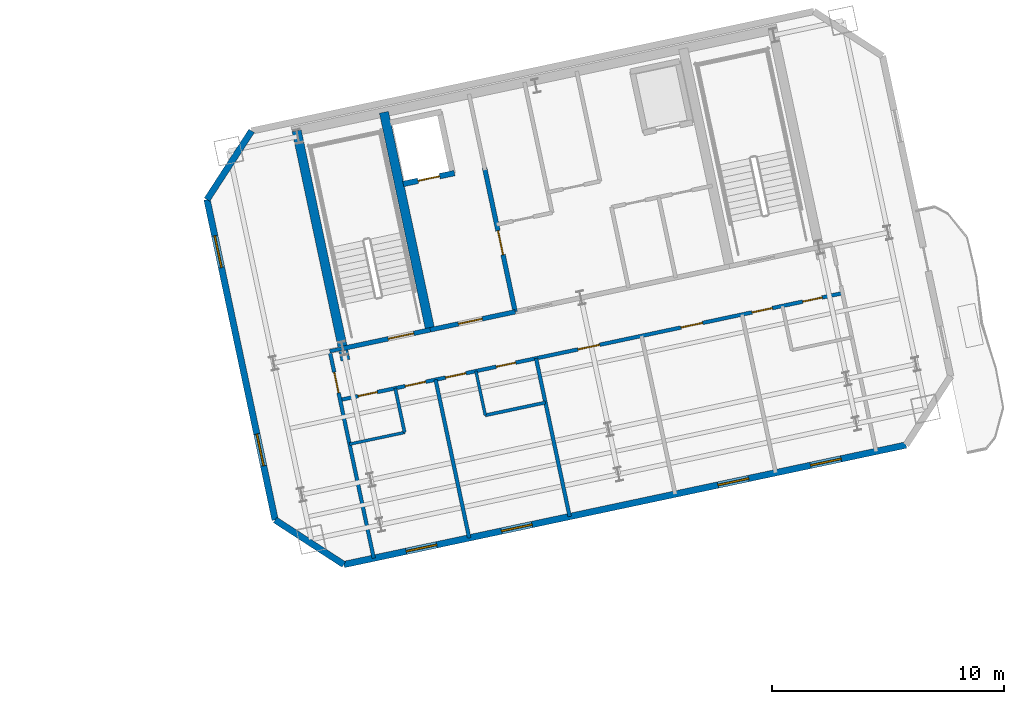
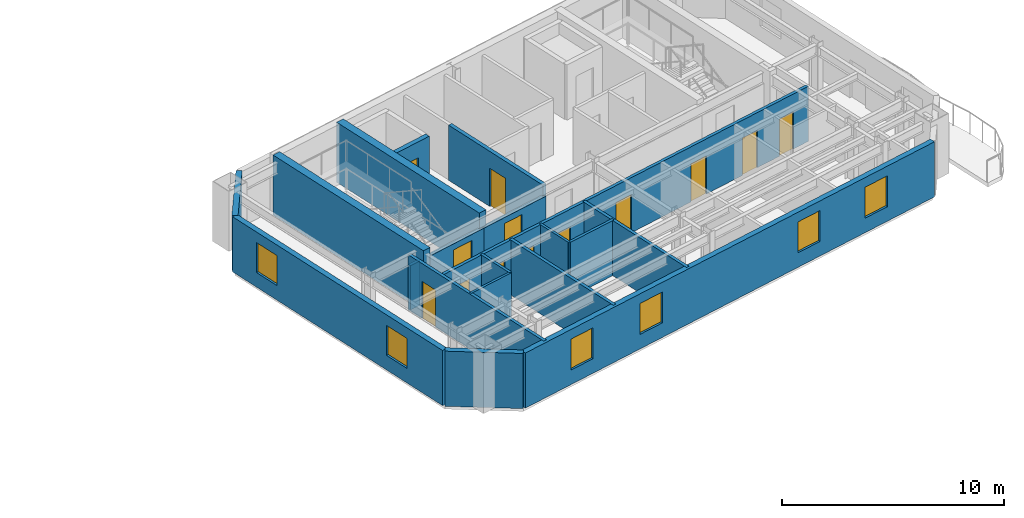
# One storey, part 7 of 14: 19 walls, 13 doors, 6 windows, 19 openings.
"""IFC4 building model written with IfcOpenShell, lengths in metres."""

import ifcopenshell
import ifcopenshell.guid

model = None  # the IFC model being written
_history = None  # IfcOwnerHistory: only IFC2X3 demands one
_inside = {}  # id of a spatial element -> (the spatial element, [elements in it])
_under = {}  # id of a project, library or spatial element -> (it, [spatial elements below it])
_declared = {}  # id of a project -> (the project, [libraries it declares])
_typed = {}  # id of a type object -> (the type object, [elements of that type])
_made_of = {}  # id of a material, layer set ... -> (it, [elements and type objects made of it])


def new_model(schema):
    """Start an empty IFC model of exactly this schema.

    Asked for "IFC4X3", IfcOpenShell would pick the latest addendum, in which some entities
    have other attributes; the version numbers below select the first issue.
    IFC2X3 requires an IfcOwnerHistory on every rooted entity: one is made here for all.
    """
    global model, _history
    if schema == "IFC4X3":
        model = ifcopenshell.file(schema_version=(4, 3, 0, 0))
    else:
        model = ifcopenshell.file(schema=schema)
    _inside.clear()
    _under.clear()
    _declared.clear()
    _typed.clear()
    _made_of.clear()
    _history = None
    if model.schema == "IFC2X3":
        org = make("IfcOrganization", Name="unknown")
        user = make(
            "IfcPersonAndOrganization",
            ThePerson=make("IfcPerson", FamilyName="unknown"),
            TheOrganization=org,
        )
        app = make(
            "IfcApplication",
            ApplicationDeveloper=org,
            Version="unknown",
            ApplicationFullName="unknown",
            ApplicationIdentifier="unknown",
        )
        _history = make(
            "IfcOwnerHistory",
            OwningUser=user,
            OwningApplication=app,
            ChangeAction="ADDED",
            CreationDate=0,
        )
    return model


def make(cls, **values):
    """One entity of the class cls with the attributes given. An attribute that is None is left unset."""
    return model.create_entity(
        cls, **{name: value for name, value in values.items() if value is not None}
    )


def rooted(cls, **values):
    """An entity with a GlobalId (a new one), such as an element, a storey or a relation."""
    return make(cls, GlobalId=ifcopenshell.guid.new(), OwnerHistory=_history, **values)


def si_unit(unit_type, name, prefix=None):
    """IfcSIUnit, for example si_unit("LENGTHUNIT", "METRE", prefix="MILLI")."""
    return make("IfcSIUnit", UnitType=unit_type, Prefix=prefix, Name=name)


def assignment(units):
    """IfcUnitAssignment: the units of a project."""
    return None if units is None else make("IfcUnitAssignment", Units=units)


def point(xyz):
    """IfcCartesianPoint."""
    return None if xyz is None else make("IfcCartesianPoint", Coordinates=xyz)


def direction(xyz):
    """IfcDirection."""
    return None if xyz is None else make("IfcDirection", DirectionRatios=xyz)


def frame(location, z_axis=None, x_axis=None):
    """IfcAxis2Placement3D, a coordinate frame: its origin and axes. An axis left out is left unset."""
    return make(
        "IfcAxis2Placement3D",
        Location=point(location),
        Axis=direction(z_axis),
        RefDirection=direction(x_axis),
    )


def frame_2d(location, x_axis=None):
    """IfcAxis2Placement2D, a coordinate frame in the plane: its origin and x axis."""
    return make(
        "IfcAxis2Placement2D", Location=point(location), RefDirection=direction(x_axis)
    )


def origin():
    """The frame at (0, 0, 0) with its axes left unset."""
    return frame((0.0, 0.0, 0.0))


def place(relative_to, where):
    """IfcLocalPlacement: puts the frame where relative to a parent placement (None: the world)."""
    return make(
        "IfcLocalPlacement", PlacementRelTo=relative_to, RelativePlacement=where
    )


def context(
    kind, dimensions, precision=None, world=None, true_north=None, identifier=None
):
    """IfcGeometricRepresentationContext, for example the 3D "Model" context."""
    return make(
        "IfcGeometricRepresentationContext",
        ContextIdentifier=identifier,
        ContextType=kind,
        CoordinateSpaceDimension=dimensions,
        Precision=precision,
        WorldCoordinateSystem=world,
        TrueNorth=true_north,
    )


def subcontext(parent, identifier, kind, view, scale=None):
    """IfcGeometricRepresentationSubContext, for example "Body" below "Model"."""
    return make(
        "IfcGeometricRepresentationSubContext",
        ContextIdentifier=identifier,
        ContextType=kind,
        ParentContext=parent,
        TargetScale=scale,
        TargetView=view,
    )


def project(units=None, contexts=None):
    """IfcProject with its units and contexts."""
    return rooted(
        "IfcProject",
        Name="project",
        RepresentationContexts=contexts,
        UnitsInContext=assignment(units),
    )


def spatial(cls, under=None, at=None, **own):
    """A site, building, storey or space (cls), placed at a placement, below another one or the project."""
    s = rooted(cls, ObjectPlacement=at, **own)
    if under is not None:
        _under.setdefault(under.id(), (under, []))[1].append(s)
    return s


def profile(cls, at=None, kind="AREA", **sizes):
    """A parametric profile (cls). Its sizes go by their IFC names, for example OverallWidth=200.0."""
    return make(cls, ProfileType=kind, Position=at, **sizes)


def rectangle(**sizes):
    """IfcRectangleProfileDef."""
    return profile("IfcRectangleProfileDef", **sizes)


def extrude(swept, where, along, depth):
    """IfcExtrudedAreaSolid: the profile swept, set in the frame where, extruded along a direction by depth."""
    return make(
        "IfcExtrudedAreaSolid",
        SweptArea=swept,
        Position=where,
        ExtrudedDirection=direction(along),
        Depth=depth,
    )


def shape(context_of_items, identifier, shape_type, items):
    """IfcShapeRepresentation: the items that make up one representation, for example the "Body"."""
    return make(
        "IfcShapeRepresentation",
        ContextOfItems=context_of_items,
        RepresentationIdentifier=identifier,
        RepresentationType=shape_type,
        Items=items,
    )


def material(Name=None, Category=None):
    """IfcMaterial."""
    return make("IfcMaterial", Name=Name, Category=Category)


def layer(
    of_material, thickness, ventilated=None, Name=None, Category=None, Priority=None
):
    """IfcMaterialLayer: one layer of a wall or slab, of a material (None: an air gap)."""
    return make(
        "IfcMaterialLayer",
        Material=of_material,
        LayerThickness=thickness,
        IsVentilated=ventilated,
        Name=Name,
        Category=Category,
        Priority=Priority,
    )


def layer_set(layers, Name=None):
    """IfcMaterialLayerSet."""
    return make("IfcMaterialLayerSet", MaterialLayers=layers, LayerSetName=Name)


def made_of(thing, what):
    """Note that an element or type object is made of a material, layer set ...; save() writes the relation."""
    if what is not None:
        _made_of.setdefault(what.id(), (what, []))[1].append(thing)
    return thing


def type_object(cls, material=None, **own):
    """A type object (cls), such as IfcWallType, which elements share."""
    return made_of(rooted(cls, **own), material)


def element(
    cls,
    number,
    at=None,
    inside=None,
    cuts=None,
    type_object=None,
    material=None,
    context=None,
    identifier="Body",
    shape_type=None,
    held_by="IfcProductDefinitionShape",
    body=None,
    shapes=None,
    **own,
):
    """One element of the class cls, such as IfcWall. Its Tag is "e" and its number.

    at: its placement. inside: the storey or other place that contains it. cuts: it is an
    opening in that element (IfcRelVoidsElement). A single representation is given by context,
    identifier, shape_type and body (its items); several are given by shapes. held_by: the class
    of the entity that holds the representations. save() writes the other relations.
    """
    e = rooted(cls, Tag="e%d" % number, ObjectPlacement=at, **own)
    if body is not None:
        shapes = [shape(context, identifier, shape_type, body)]
    if shapes is not None:
        e.Representation = make(held_by, Representations=shapes)
    if inside is not None:
        _inside.setdefault(inside.id(), (inside, []))[1].append(e)
    if cuts is not None:
        rooted(
            "IfcRelVoidsElement", RelatingBuildingElement=cuts, RelatedOpeningElement=e
        )
    if type_object is not None:
        _typed.setdefault(type_object.id(), (type_object, []))[1].append(e)
    return made_of(e, material)


def fill(opening, filler):
    """IfcRelFillsElement: the door or window that sits in an opening."""
    return rooted(
        "IfcRelFillsElement",
        RelatingOpeningElement=opening,
        RelatedBuildingElement=filler,
    )


def aggregate(whole, parts):
    """IfcRelAggregates: a whole, such as a stair, and the parts it consists of."""
    return rooted("IfcRelAggregates", RelatingObject=whole, RelatedObjects=parts)


def save(model, path):
    """Write the relations noted so far, then the file.

    IfcRelAggregates (storeys below a building ...), IfcRelContainedInSpatialStructure (elements
    in a storey), IfcRelDefinesByType, IfcRelAssociatesMaterial and IfcRelDeclares: one each for
    every whole, place, type object, material and project.
    """
    for whole, parts in _under.values():
        aggregate(whole, parts)
    for where, things in _inside.values():
        rooted(
            "IfcRelContainedInSpatialStructure",
            RelatedElements=things,
            RelatingStructure=where,
        )
    for kind, things in _typed.values():
        rooted("IfcRelDefinesByType", RelatedObjects=things, RelatingType=kind)
    for what, things in _made_of.values():
        rooted("IfcRelAssociatesMaterial", RelatedObjects=things, RelatingMaterial=what)
    for by, libraries in _declared.values():
        rooted("IfcRelDeclares", RelatingContext=by, RelatedDefinitions=libraries)
    model.write(path)


model = new_model("IFC4")

# Units and contexts
model_context = context("Model", 3, precision=1e-05, world=origin(), true_north=direction((0.0, 1.0)))
body_context = subcontext(model_context, "Body", "Model", "MODEL_VIEW")
ifc_project = project(units=[si_unit("LENGTHUNIT", "METRE"), si_unit("AREAUNIT", "SQUARE_METRE"), si_unit("VOLUMEUNIT", "CUBIC_METRE"), si_unit("PLANEANGLEUNIT", "RADIAN"), si_unit("MASSUNIT", "GRAM", prefix="KILO")], contexts=[model_context])

# Site, building, storey
site_placement = place(None, origin())
site = spatial("IfcSite", under=ifc_project, at=site_placement, CompositionType="ELEMENT")
building_placement = place(site_placement, origin())
building = spatial("IfcBuilding", under=site, at=building_placement, Name="Haevon Station Towers", CompositionType="ELEMENT")
storey_placement = place(building_placement, frame((0.0, 0.0, 205.5)))
storey = spatial("IfcBuildingStorey", under=building, at=storey_placement, Name="L56", CompositionType="ELEMENT", Elevation=205.5)

# Wall, opening, door
ifc_material_1 = material(Name="Gypsum board on steel stud", Category="steel")
ifc_layer_1 = layer(ifc_material_1, 0.199951171875)
ifc_layer_set_1 = layer_set([ifc_layer_1], Name="Gypsum board on steel stud")
wall_type_1 = type_object("IfcWallType", Name="WL-COR200", PredefinedType="PARTITIONING", material=ifc_layer_set_1)
wall_1_placement = place(storey_placement, frame((98.75244140625, 37.4423828125, 0.0), z_axis=(0.0, 0.0, 1.0), x_axis=(0.978143537786, 0.207930804564, 0.0)))
wall_1 = element("IfcWall", 1, at=wall_1_placement, inside=storey, type_object=wall_type_1, Name="WL-ST-ST3-L56", PredefinedType="PARTITIONING", context=body_context, shape_type="SweptSolid", body=[
    extrude(rectangle(XDim=3.85009765625, YDim=0.199951171875, at=frame_2d((1.925048828125, 0.0))), origin(), (0.0, 0.0, 1.0), 2.429931640625),
])
opening_1_placement = place(wall_1_placement, frame((2.0, 0.0, 0.0)))
opening_1 = element("IfcOpeningElement", 2, at=opening_1_placement, cuts=wall_1, Name="Opening DR-ST-ST3-L56", PredefinedType="OPENING", context=body_context, shape_type="SweptSolid", body=[
    extrude(rectangle(XDim=1.1201171875, YDim=2.10009765625, at=frame_2d((0.56005859375, 1.050048828125))), frame((0.0, 0.10986328125, 0.0), z_axis=(0.0, -1.0, 0.0), x_axis=(1.0, 0.0, 0.0)), (0.0, 0.0, 1.0), 0.219970703125),
])
ifc_material_2 = material(Name="Engineered oak timber", Category="wood")
door_type_1 = type_object("IfcDoorType", Name="DR-ST-1120", OperationType="NOTDEFINED", PredefinedType="DOOR", material=ifc_material_2)
door_1_placement = place(opening_1_placement, origin())
door_1 = element("IfcDoor", 3, at=door_1_placement, inside=storey, type_object=door_type_1, Name="L56 Escape Stair ST3 Fire Door", OperationType="SINGLE_SWING_RIGHT", OverallHeight=2.10009765625, OverallWidth=1.1201171875, PredefinedType="DOOR", context=body_context, shape_type="SweptSolid", body=[
    extrude(rectangle(XDim=1.1201171875, YDim=2.10009765625, at=frame_2d((0.56005859375, 1.050048828125))), frame((0.0, 0.02490234375, 0.0), z_axis=(0.0, -1.0, 0.0), x_axis=(1.0, 0.0, 0.0)), (0.0, 0.0, 1.0), 0.050048828125),
])
fill(opening_1, door_1)

wall_2_placement = place(storey_placement, frame((106.186279296875, 39.0224609375, 0.0), z_axis=(0.0, 0.0, 1.0), x_axis=(-0.207916691923, 0.978146537703, 0.0)))
wall_2 = element("IfcWall", 4, at=wall_2_placement, inside=storey, type_object=wall_type_1, Name="WL-T2FFL-L56-E", PredefinedType="PARTITIONING", context=body_context, shape_type="SweptSolid", body=[
    extrude(rectangle(XDim=6.35009765625, YDim=0.199951171875, at=frame_2d((3.175048828125, 0.0))), origin(), (0.0, 0.0, 1.0), 3.030029296875),
])
opening_2_placement = place(wall_2_placement, frame((2.52001953125, 0.0, 0.0)))
opening_2 = element("IfcOpeningElement", 5, at=opening_2_placement, cuts=wall_2, Name="Opening DR-T2FFL-L56-E", PredefinedType="OPENING", context=body_context, shape_type="SweptSolid", body=[
    extrude(rectangle(XDim=1.050048828125, YDim=2.10009765625, at=frame_2d((0.52490234375, 1.050048828125))), frame((0.0, 0.10986328125, 0.0), z_axis=(0.0, -1.0, 0.0), x_axis=(1.0, 0.0, 0.0)), (0.0, 0.0, 1.0), 0.219970703125),
])
door_type_2 = type_object("IfcDoorType", Name="DR-FD60-1050", OperationType="NOTDEFINED", PredefinedType="DOOR", material=ifc_material_2)
door_2_placement = place(opening_2_placement, origin())
door_2 = element("IfcDoor", 6, at=door_2_placement, inside=storey, type_object=door_type_2, Name="L56 Tower 2 Firefighting Lift Lobby Door E", OperationType="SINGLE_SWING_RIGHT", OverallHeight=2.10009765625, OverallWidth=1.050048828125, PredefinedType="DOOR", context=body_context, shape_type="SweptSolid", body=[
    extrude(rectangle(XDim=1.050048828125, YDim=2.10009765625, at=frame_2d((0.52490234375, 1.050048828125))), frame((0.0, 0.02490234375, 0.0), z_axis=(0.0, -1.0, 0.0), x_axis=(1.0, 0.0, 0.0)), (0.0, 0.0, 1.0), 0.050048828125),
])
fill(opening_2, door_2)

wall_3_placement = place(storey_placement, frame((102.518310546875, 38.242919921875, 0.0), z_axis=(0.0, 0.0, 1.0), x_axis=(0.978153555683, 0.20788367301, 0.0)))
wall_3 = element("IfcWall", 7, at=wall_3_placement, inside=storey, type_object=wall_type_1, Name="WL-T2FFL-L56-S", PredefinedType="PARTITIONING", context=body_context, shape_type="SweptSolid", body=[
    extrude(rectangle(XDim=3.75, YDim=0.199951171875, at=frame_2d((1.875, 0.0))), origin(), (0.0, 0.0, 1.0), 2.429931640625),
])
opening_3_placement = place(wall_3_placement, frame((1.25, 0.0, 0.0)))
opening_3 = element("IfcOpeningElement", 8, at=opening_3_placement, cuts=wall_3, Name="Opening DR-T2FFL-L56-S", PredefinedType="OPENING", context=body_context, shape_type="SweptSolid", body=[
    extrude(rectangle(XDim=1.050048828125, YDim=2.10009765625, at=frame_2d((0.52490234375, 1.050048828125))), frame((0.0, 0.10986328125, 0.0), z_axis=(0.0, -1.0, 0.0), x_axis=(1.0, 0.0, 0.0)), (0.0, 0.0, 1.0), 0.219970703125),
])
door_3_placement = place(opening_3_placement, origin())
door_3 = element("IfcDoor", 9, at=door_3_placement, inside=storey, type_object=door_type_2, Name="L56 Tower 2 Firefighting Lift Lobby Door S", OperationType="SINGLE_SWING_LEFT", OverallHeight=2.10009765625, OverallWidth=1.050048828125, PredefinedType="DOOR", context=body_context, shape_type="SweptSolid", body=[
    extrude(rectangle(XDim=1.050048828125, YDim=2.10009765625, at=frame_2d((0.52490234375, 1.050048828125))), frame((0.0, 0.02490234375, 0.0), z_axis=(0.0, -1.0, 0.0), x_axis=(1.0, 0.0, 0.0)), (0.0, 0.0, 1.0), 0.050048828125),
])
fill(opening_3, door_3)

# Walls
ifc_material_3 = material(Name="Concrete C60/75", Category="concrete")
ifc_layer_2 = layer(ifc_material_3, 0.39990234375)
ifc_layer_set_2 = layer_set([ifc_layer_2], Name="Concrete C60/75")
wall_type_2 = type_object("IfcWallType", Name="WL-CR400", PredefinedType="SHEAR", material=ifc_layer_set_2)
wall_4_placement = place(storey_placement, frame((98.8603515625, 36.933837890625, 0.0), z_axis=(0.0, 0.0, 1.0), x_axis=(-0.20790924889, 0.978148119778, 0.0)))
element("IfcWall", 10, at=wall_4_placement, inside=storey, type_object=wall_type_2, Name="WL-T2CR-L56-W", PredefinedType="SHEAR", context=body_context, shape_type="SweptSolid", body=[
    extrude(rectangle(XDim=10.119873046875, YDim=0.39990234375, at=frame_2d((5.06005859375, 0.0))), origin(), (0.0, 0.0, 1.0), 3.300048828125),
])
wall_5_placement = place(storey_placement, frame((102.518310546875, 38.242919921875, 0.0), z_axis=(0.0, 0.0, 1.0), x_axis=(-0.207927495108, 0.978144241295, 0.0)))
element("IfcWall", 11, at=wall_5_placement, inside=storey, type_object=wall_type_2, Name="WL-T2CR-L56-M1", PredefinedType="SHEAR", context=body_context, shape_type="SweptSolid", body=[
    extrude(rectangle(XDim=9.599853515625, YDim=0.39990234375, at=frame_2d((4.7998046875, 0.0))), origin(), (0.0, 0.0, 1.0), 3.300048828125),
])

# Wall, openings, windows
ifc_material_4 = material(Name="Precast concrete C45/55", Category="concrete")
ifc_layer_3 = layer(ifc_material_4, 0.280029296875)
ifc_layer_set_3 = layer_set([ifc_layer_3], Name="Precast concrete C45/55")
wall_type_3 = type_object("IfcWallType", Name="WL-EXT-PIER280", PredefinedType="SOLIDWALL", material=ifc_layer_set_3)
wall_6_placement = place(storey_placement, frame((123.050048828125, 33.273193359375, 0.0), z_axis=(0.0, 0.0, 1.0), x_axis=(-0.97814726544, -0.207913268245, 0.0)))
wall_6 = element("IfcWall", 12, at=wall_6_placement, inside=storey, type_object=wall_type_3, Name="WL-T2-L56-S", PredefinedType="SOLIDWALL", context=body_context, shape_type="SweptSolid", body=[
    extrude(rectangle(XDim=24.800048828125, YDim=0.280029296875, at=frame_2d((12.39990234375, 0.0))), origin(), (0.0, 0.0, 1.0), 3.030029296875),
])
opening_4_placement = place(wall_6_placement, frame((20.69970703125, 0.0, 0.800048828125)))
opening_4 = element("IfcOpeningElement", 13, at=opening_4_placement, cuts=wall_6, Name="Opening WN-P135", PredefinedType="OPENING", context=body_context, shape_type="SweptSolid", body=[
    extrude(rectangle(XDim=1.35009765625, YDim=1.699951171875, at=frame_2d((0.675048828125, 0.85009765625))), frame((0.0, 0.14990234375, 0.0), z_axis=(0.0, -1.0, 0.0), x_axis=(1.0, 0.0, 0.0)), (0.0, 0.0, 1.0), 0.300048828125),
])
opening_5_placement = place(wall_6_placement, frame((16.49462890625, 0.0, 0.800048828125)))
opening_5 = element("IfcOpeningElement", 14, at=opening_5_placement, cuts=wall_6, Name="Opening WN-P135", PredefinedType="OPENING", context=body_context, shape_type="SweptSolid", body=[
    extrude(rectangle(XDim=1.35009765625, YDim=1.699951171875, at=frame_2d((0.675048828125, 0.85009765625))), frame((0.0, 0.14990234375, 0.0), z_axis=(0.0, -1.0, 0.0), x_axis=(1.0, 0.0, 0.0)), (0.0, 0.0, 1.0), 0.300048828125),
])
opening_6_placement = place(wall_6_placement, frame((6.944580078125, 0.0, 0.800048828125)))
opening_6 = element("IfcOpeningElement", 15, at=opening_6_placement, cuts=wall_6, Name="Opening WN-P135", PredefinedType="OPENING", context=body_context, shape_type="SweptSolid", body=[
    extrude(rectangle(XDim=1.35009765625, YDim=1.699951171875, at=frame_2d((0.675048828125, 0.85009765625))), frame((0.0, 0.14990234375, 0.0), z_axis=(0.0, -1.0, 0.0), x_axis=(1.0, 0.0, 0.0)), (0.0, 0.0, 1.0), 0.300048828125),
])
opening_7_placement = place(wall_6_placement, frame((2.861083984375, 0.0, 0.800048828125)))
opening_7 = element("IfcOpeningElement", 16, at=opening_7_placement, cuts=wall_6, Name="Opening WN-P135", PredefinedType="OPENING", context=body_context, shape_type="SweptSolid", body=[
    extrude(rectangle(XDim=1.35009765625, YDim=1.699951171875, at=frame_2d((0.675048828125, 0.85009765625))), frame((0.0, 0.14990234375, 0.0), z_axis=(0.0, -1.0, 0.0), x_axis=(1.0, 0.0, 0.0)), (0.0, 0.0, 1.0), 0.300048828125),
])
ifc_material_5 = material(Name="Low-E triple glazing in thermally broken aluminium", Category="aluminium")
window_type_1 = type_object("IfcWindowType", Name="WN-P135", PartitioningType="SINGLE_PANEL", PredefinedType="WINDOW", material=ifc_material_5)
window_1_placement = place(opening_4_placement, origin())
window_1 = element("IfcWindow", 17, at=window_1_placement, inside=storey, type_object=window_type_1, Name="WN-T2-L56-S01", OverallHeight=1.699951171875, OverallWidth=1.35009765625, PartitioningType="SINGLE_PANEL", PredefinedType="WINDOW", context=body_context, shape_type="SweptSolid", body=[
    extrude(rectangle(XDim=1.35009765625, YDim=1.699951171875, at=frame_2d((0.675048828125, 0.85009765625))), frame((0.0, 0.030029296875, 0.0), z_axis=(0.0, -1.0, 0.0), x_axis=(1.0, 0.0, 0.0)), (0.0, 0.0, 1.0), 0.06005859375),
])
fill(opening_4, window_1)
window_2_placement = place(opening_5_placement, origin())
window_2 = element("IfcWindow", 18, at=window_2_placement, inside=storey, type_object=window_type_1, Name="WN-T2-L56-S02", OverallHeight=1.699951171875, OverallWidth=1.35009765625, PartitioningType="SINGLE_PANEL", PredefinedType="WINDOW", context=body_context, shape_type="SweptSolid", body=[
    extrude(rectangle(XDim=1.35009765625, YDim=1.699951171875, at=frame_2d((0.675048828125, 0.85009765625))), frame((0.0, 0.030029296875, 0.0), z_axis=(0.0, -1.0, 0.0), x_axis=(1.0, 0.0, 0.0)), (0.0, 0.0, 1.0), 0.06005859375),
])
fill(opening_5, window_2)
window_3_placement = place(opening_6_placement, origin())
window_3 = element("IfcWindow", 19, at=window_3_placement, inside=storey, type_object=window_type_1, Name="WN-T2-L56-S03", OverallHeight=1.699951171875, OverallWidth=1.35009765625, PartitioningType="SINGLE_PANEL", PredefinedType="WINDOW", context=body_context, shape_type="SweptSolid", body=[
    extrude(rectangle(XDim=1.35009765625, YDim=1.699951171875, at=frame_2d((0.675048828125, 0.85009765625))), frame((0.0, 0.030029296875, 0.0), z_axis=(0.0, -1.0, 0.0), x_axis=(1.0, 0.0, 0.0)), (0.0, 0.0, 1.0), 0.06005859375),
])
fill(opening_6, window_3)
window_4_placement = place(opening_7_placement, origin())
window_4 = element("IfcWindow", 20, at=window_4_placement, inside=storey, type_object=window_type_1, Name="WN-T2-L56-S04", OverallHeight=1.699951171875, OverallWidth=1.35009765625, PartitioningType="SINGLE_PANEL", PredefinedType="WINDOW", context=body_context, shape_type="SweptSolid", body=[
    extrude(rectangle(XDim=1.35009765625, YDim=1.699951171875, at=frame_2d((0.675048828125, 0.85009765625))), frame((0.0, 0.030029296875, 0.0), z_axis=(0.0, -1.0, 0.0), x_axis=(1.0, 0.0, 0.0)), (0.0, 0.0, 1.0), 0.06005859375),
])
fill(opening_7, window_4)

# Wall
wall_7_placement = place(storey_placement, frame((98.7919921875, 28.116943359375, 0.0), z_axis=(0.0, 0.0, 1.0), x_axis=(-0.838672309694, 0.544636352948, 0.0)))
element("IfcWall", 21, at=wall_7_placement, inside=storey, type_object=wall_type_3, Name="WL-T2-L56-SWC", PredefinedType="SOLIDWALL", context=body_context, shape_type="SweptSolid", body=[
    extrude(rectangle(XDim=3.535400390625, YDim=0.280029296875, at=frame_2d((1.767578125, 0.0))), origin(), (0.0, 0.0, 1.0), 3.030029296875),
])

# Wall, openings, windows
wall_8_placement = place(storey_placement, frame((95.826904296875, 30.04248046875, 0.0), z_axis=(0.0, 0.0, 1.0), x_axis=(-0.207907523802, 0.978148486451, 0.0)))
wall_8 = element("IfcWall", 22, at=wall_8_placement, inside=storey, type_object=wall_type_3, Name="WL-T2-L56-W", PredefinedType="SOLIDWALL", context=body_context, shape_type="SweptSolid", body=[
    extrude(rectangle(XDim=14.130126953125, YDim=0.280029296875, at=frame_2d((7.06494140625, 0.0))), origin(), (0.0, 0.0, 1.0), 3.030029296875),
])
opening_8_placement = place(wall_8_placement, frame((2.389892578125, 0.0, 0.800048828125)))
opening_8 = element("IfcOpeningElement", 23, at=opening_8_placement, cuts=wall_8, Name="Opening WN-END140", PredefinedType="OPENING", context=body_context, shape_type="SweptSolid", body=[
    extrude(rectangle(XDim=1.39990234375, YDim=1.64990234375, at=frame_2d((0.699951171875, 0.824951171875))), frame((0.0, 0.14990234375, 0.0), z_axis=(0.0, -1.0, 0.0), x_axis=(1.0, 0.0, 0.0)), (0.0, 0.0, 1.0), 0.300048828125),
])
opening_9_placement = place(wall_8_placement, frame((11.135009765625, 0.0, 0.800048828125)))
opening_9 = element("IfcOpeningElement", 24, at=opening_9_placement, cuts=wall_8, Name="Opening WN-END140", PredefinedType="OPENING", context=body_context, shape_type="SweptSolid", body=[
    extrude(rectangle(XDim=1.39990234375, YDim=1.64990234375, at=frame_2d((0.699951171875, 0.824951171875))), frame((0.0, 0.14990234375, 0.0), z_axis=(0.0, -1.0, 0.0), x_axis=(1.0, 0.0, 0.0)), (0.0, 0.0, 1.0), 0.300048828125),
])
window_type_2 = type_object("IfcWindowType", Name="WN-END140", PartitioningType="SINGLE_PANEL", PredefinedType="WINDOW", material=ifc_material_5)
window_5_placement = place(opening_8_placement, origin())
window_5 = element("IfcWindow", 25, at=window_5_placement, inside=storey, type_object=window_type_2, Name="WN-T2-L56-W01", OverallHeight=1.64990234375, OverallWidth=1.39990234375, PartitioningType="SINGLE_PANEL", PredefinedType="WINDOW", context=body_context, shape_type="SweptSolid", body=[
    extrude(rectangle(XDim=1.39990234375, YDim=1.64990234375, at=frame_2d((0.699951171875, 0.824951171875))), frame((0.0, 0.030029296875, 0.0), z_axis=(0.0, -1.0, 0.0), x_axis=(1.0, 0.0, 0.0)), (0.0, 0.0, 1.0), 0.06005859375),
])
fill(opening_8, window_5)
window_6_placement = place(opening_9_placement, origin())
window_6 = element("IfcWindow", 26, at=window_6_placement, inside=storey, type_object=window_type_2, Name="WN-T2-L56-W02", OverallHeight=1.64990234375, OverallWidth=1.39990234375, PartitioningType="SINGLE_PANEL", PredefinedType="WINDOW", context=body_context, shape_type="SweptSolid", body=[
    extrude(rectangle(XDim=1.39990234375, YDim=1.64990234375, at=frame_2d((0.699951171875, 0.824951171875))), frame((0.0, 0.030029296875, 0.0), z_axis=(0.0, -1.0, 0.0), x_axis=(1.0, 0.0, 0.0)), (0.0, 0.0, 1.0), 0.06005859375),
])
fill(opening_9, window_6)

# Walls
wall_9_placement = place(storey_placement, frame((92.88916015625, 43.86376953125, 0.0), z_axis=(0.0, 0.0, 1.0), x_axis=(0.544636352948, 0.838672309694, 0.0)))
element("IfcWall", 27, at=wall_9_placement, inside=storey, type_object=wall_type_3, Name="WL-T2-L56-NWC", PredefinedType="SOLIDWALL", context=body_context, shape_type="SweptSolid", body=[
    extrude(rectangle(XDim=3.535400390625, YDim=0.280029296875, at=frame_2d((1.767578125, 0.0))), origin(), (0.0, 0.0, 1.0), 3.030029296875),
])
ifc_layer_4 = layer(ifc_material_1, 0.125)
ifc_layer_set_4 = layer_set([ifc_layer_4], Name="Gypsum board on steel stud")
wall_type_4 = type_object("IfcWallType", Name="WL-PRT125", PredefinedType="PARTITIONING", material=ifc_layer_set_4)
wall_10_placement = place(storey_placement, frame((99.037353515625, 33.3115234375, 0.0), z_axis=(0.0, 0.0, 1.0), x_axis=(0.978165487905, 0.207827520484, 0.0)))
element("IfcWall", 28, at=wall_10_placement, inside=storey, type_object=wall_type_4, Name="WL-T2PT-L56-05", PredefinedType="PARTITIONING", context=body_context, shape_type="SweptSolid", body=[
    extrude(rectangle(XDim=2.430419921875, YDim=0.125, at=frame_2d((1.21533203125, 0.0))), origin(), (0.0, 0.0, 1.0), 3.030029296875),
])
wall_11_placement = place(storey_placement, frame((104.89697265625, 34.556884765625, 0.0), z_axis=(0.0, 0.0, 1.0), x_axis=(-0.207947096322, 0.978140074392, 0.0)))
element("IfcWall", 29, at=wall_11_placement, inside=storey, type_object=wall_type_4, Name="WL-T2PT-L56-09", PredefinedType="PARTITIONING", context=body_context, shape_type="SweptSolid", body=[
    extrude(rectangle(XDim=1.9501953125, YDim=0.125, at=frame_2d((0.97509765625, 0.0))), origin(), (0.0, 0.0, 1.0), 3.030029296875),
])
ifc_layer_5 = layer(ifc_material_1, 0.139892578125)
ifc_layer_set_5 = layer_set([ifc_layer_5], Name="Gypsum board on steel stud")
wall_type_5 = type_object("IfcWallType", Name="WL-PRT140", PredefinedType="PARTITIONING", material=ifc_layer_set_5)
wall_12_placement = place(storey_placement, frame((101.414794921875, 33.816650390625, 0.0), z_axis=(0.0, 0.0, 1.0), x_axis=(-0.207947096322, 0.978140074392, 0.0)))
element("IfcWall", 30, at=wall_12_placement, inside=storey, type_object=wall_type_5, Name="WL-T2PT-L56-06", PredefinedType="PARTITIONING", context=body_context, shape_type="SweptSolid", body=[
    extrude(rectangle(XDim=1.9501953125, YDim=0.139892578125, at=frame_2d((0.97509765625, 0.0))), origin(), (0.0, 0.0, 1.0), 3.030029296875),
])
wall_13_placement = place(storey_placement, frame((104.89697265625, 34.556884765625, 0.0), z_axis=(0.0, 0.0, 1.0), x_axis=(0.978155341176, 0.207875271565, 0.0)))
element("IfcWall", 31, at=wall_13_placement, inside=storey, type_object=wall_type_5, Name="WL-T2PT-L56-08", PredefinedType="PARTITIONING", context=body_context, shape_type="SweptSolid", body=[
    extrude(rectangle(XDim=2.65185546875, YDim=0.139892578125, at=frame_2d((1.325927734375, 0.0))), origin(), (0.0, 0.0, 1.0), 3.030029296875),
])
ifc_layer_6 = layer(ifc_material_1, 0.159912109375)
ifc_layer_set_6 = layer_set([ifc_layer_6], Name="Gypsum board on steel stud")
wall_type_6 = type_object("IfcWallType", Name="WL-PRT160", PredefinedType="PARTITIONING", material=ifc_layer_set_6)
wall_14_placement = place(storey_placement, frame((98.18505859375, 37.32177734375, 0.0), z_axis=(0.0, 0.0, 1.0), x_axis=(0.978146012851, 0.207919161079, 0.0)))
element("IfcWall", 32, at=wall_14_placement, inside=storey, type_object=wall_type_6, Name="WL-T2PT-L56-01", PredefinedType="PARTITIONING", context=body_context, shape_type="SweptSolid", body=[
    extrude(rectangle(XDim=0.580078125, YDim=0.159912109375, at=frame_2d((0.2900390625, 0.0))), origin(), (0.0, 0.0, 1.0), 2.429931640625),
])

# Wall, opening, door
wall_15_placement = place(storey_placement, frame((100.083251953125, 28.391357421875, 0.0), z_axis=(0.0, 0.0, 1.0), x_axis=(-0.207908966823, 0.978148179733, 0.0)))
wall_15 = element("IfcWall", 33, at=wall_15_placement, inside=storey, type_object=wall_type_6, Name="WL-T2PT-L56-03", PredefinedType="PARTITIONING", context=body_context, shape_type="SweptSolid", body=[
    extrude(rectangle(XDim=9.1298828125, YDim=0.159912109375, at=frame_2d((4.56494140625, 0.0))), origin(), (0.0, 0.0, 1.0), 3.030029296875),
])
opening_10_placement = place(wall_15_placement, frame((7.300048828125, 0.0, 0.0)))
opening_10 = element("IfcOpeningElement", 34, at=opening_10_placement, cuts=wall_15, Name="Opening DR-WL-T2PT-L56-03-01", PredefinedType="OPENING", context=body_context, shape_type="SweptSolid", body=[
    extrude(rectangle(XDim=0.89990234375, YDim=2.050048828125, at=frame_2d((0.449951171875, 1.02490234375))), frame((0.0, 0.08984375, 0.0), z_axis=(0.0, -1.0, 0.0), x_axis=(1.0, 0.0, 0.0)), (0.0, 0.0, 1.0), 0.179931640625),
])
door_type_3 = type_object("IfcDoorType", Name="DR-INT-900", OperationType="NOTDEFINED", PredefinedType="DOOR", material=ifc_material_2)
door_4_placement = place(opening_10_placement, origin())
door_4 = element("IfcDoor", 35, at=door_4_placement, inside=storey, type_object=door_type_3, Name="L56 Tower 2 Room Door 3-1", OperationType="SINGLE_SWING_LEFT", OverallHeight=2.050048828125, OverallWidth=0.89990234375, PredefinedType="DOOR", context=body_context, shape_type="SweptSolid", body=[
    extrude(rectangle(XDim=0.89990234375, YDim=2.050048828125, at=frame_2d((0.449951171875, 1.02490234375))), frame((0.0, 0.02490234375, 0.0), z_axis=(0.0, -1.0, 0.0), x_axis=(1.0, 0.0, 0.0)), (0.0, 0.0, 1.0), 0.050048828125),
])
fill(opening_10, door_4)

# Walls
for number, where, z_axis, x_axis, name in (
    (36, (104.20166015625, 29.266845703125, 0.0), (0.0, 0.0, 1.0), (-0.207906863497, 0.9781486268, 0.0), "WL-T2PT-L56-07"),
    (37, (108.536865234375, 30.188232421875, 0.0), (0.0, 0.0, 1.0), (-0.207906863497, 0.9781486268, 0.0), "WL-T2PT-L56-10"),
):
    element("IfcWall", number, at=place(storey_placement, frame(where, z_axis=z_axis, x_axis=x_axis)), inside=storey, type_object=wall_type_6, Name=name, PredefinedType="PARTITIONING", context=body_context, shape_type="SweptSolid", body=[
        extrude(rectangle(XDim=6.97998046875, YDim=0.159912109375, at=frame_2d((3.489990234375, 0.0))), origin(), (0.0, 0.0, 1.0), 3.030029296875),
    ])

# Wall, openings, doors
wall_16_placement = place(storey_placement, frame((98.632080078125, 35.21875, 0.0), z_axis=(0.0, 0.0, 1.0), x_axis=(0.978146753289, 0.207915677691, 0.0)))
wall_16 = element("IfcWall", 38, at=wall_16_placement, inside=storey, type_object=wall_type_6, Name="WL-T2PT-L56-15", PredefinedType="PARTITIONING", context=body_context, shape_type="SweptSolid", body=[
    extrude(rectangle(XDim=22.16015625, YDim=0.159912109375, at=frame_2d((11.080078125, 0.0))), origin(), (0.0, 0.0, 1.0), 3.030029296875),
])
opening_11_placement = place(wall_16_placement, frame((0.7900390625, 0.0, 0.0)))
opening_11 = element("IfcOpeningElement", 39, at=opening_11_placement, cuts=wall_16, Name="Opening DR-WL-T2PT-L56-15-01", PredefinedType="OPENING", context=body_context, shape_type="SweptSolid", body=[
    extrude(rectangle(XDim=0.85009765625, YDim=2.050048828125, at=frame_2d((0.425048828125, 1.02490234375))), frame((0.0, 0.08984375, 0.0), z_axis=(0.0, -1.0, 0.0), x_axis=(1.0, 0.0, 0.0)), (0.0, 0.0, 1.0), 0.179931640625),
])
opening_12_placement = place(wall_16_placement, frame((2.8701171875, 0.0, 0.0)))
opening_12 = element("IfcOpeningElement", 40, at=opening_12_placement, cuts=wall_16, Name="Opening DR-WL-T2PT-L56-15-02", PredefinedType="OPENING", context=body_context, shape_type="SweptSolid", body=[
    extrude(rectangle(XDim=0.89990234375, YDim=2.050048828125, at=frame_2d((0.449951171875, 1.02490234375))), frame((0.0, 0.08984375, 0.0), z_axis=(0.0, -1.0, 0.0), x_axis=(1.0, 0.0, 0.0)), (0.0, 0.0, 1.0), 0.179931640625),
])
opening_13_placement = place(wall_16_placement, frame((6.89111328125, 0.0, 0.0)))
opening_13 = element("IfcOpeningElement", 41, at=opening_13_placement, cuts=wall_16, Name="Opening DR-WL-T2PT-L56-15-03", PredefinedType="OPENING", context=body_context, shape_type="SweptSolid", body=[
    extrude(rectangle(XDim=0.85009765625, YDim=2.050048828125, at=frame_2d((0.425048828125, 1.02490234375))), frame((0.0, 0.08984375, 0.0), z_axis=(0.0, -1.0, 0.0), x_axis=(1.0, 0.0, 0.0)), (0.0, 0.0, 1.0), 0.179931640625),
])
opening_14_placement = place(wall_16_placement, frame((4.64990234375, 0.0, 0.0)))
opening_14 = element("IfcOpeningElement", 42, at=opening_14_placement, cuts=wall_16, Name="Opening DR-WL-T2PT-L56-15-04", PredefinedType="OPENING", context=body_context, shape_type="SweptSolid", body=[
    extrude(rectangle(XDim=0.89990234375, YDim=2.050048828125, at=frame_2d((0.449951171875, 1.02490234375))), frame((0.0, 0.08984375, 0.0), z_axis=(0.0, -1.0, 0.0), x_axis=(1.0, 0.0, 0.0)), (0.0, 0.0, 1.0), 0.179931640625),
])
opening_15_placement = place(wall_16_placement, frame((10.493896484375, 0.0, 0.0)))
opening_15 = element("IfcOpeningElement", 43, at=opening_15_placement, cuts=wall_16, Name="Opening DR-WL-T2PT-L56-15-05", PredefinedType="OPENING", context=body_context, shape_type="SweptSolid", body=[
    extrude(rectangle(XDim=0.949951171875, YDim=2.10009765625, at=frame_2d((0.47509765625, 1.050048828125))), frame((0.0, 0.08984375, 0.0), z_axis=(0.0, -1.0, 0.0), x_axis=(1.0, 0.0, 0.0)), (0.0, 0.0, 1.0), 0.179931640625),
])
opening_16_placement = place(wall_16_placement, frame((15.037109375, 0.0, 0.0)))
opening_16 = element("IfcOpeningElement", 44, at=opening_16_placement, cuts=wall_16, Name="Opening DR-WL-T2PT-L56-15-06", PredefinedType="OPENING", context=body_context, shape_type="SweptSolid", body=[
    extrude(rectangle(XDim=0.949951171875, YDim=2.10009765625, at=frame_2d((0.47509765625, 1.050048828125))), frame((0.0, 0.08984375, 0.0), z_axis=(0.0, -1.0, 0.0), x_axis=(1.0, 0.0, 0.0)), (0.0, 0.0, 1.0), 0.179931640625),
])
opening_17_placement = place(wall_16_placement, frame((20.408935546875, 0.0, 0.0)))
opening_17 = element("IfcOpeningElement", 45, at=opening_17_placement, cuts=wall_16, Name="Opening DR-WL-T2PT-L56-15-07", PredefinedType="OPENING", context=body_context, shape_type="SweptSolid", body=[
    extrude(rectangle(XDim=0.85009765625, YDim=2.050048828125, at=frame_2d((0.425048828125, 1.02490234375))), frame((0.0, 0.08984375, 0.0), z_axis=(0.0, -1.0, 0.0), x_axis=(1.0, 0.0, 0.0)), (0.0, 0.0, 1.0), 0.179931640625),
])
opening_18_placement = place(wall_16_placement, frame((18.16796875, 0.0, 0.0)))
opening_18 = element("IfcOpeningElement", 46, at=opening_18_placement, cuts=wall_16, Name="Opening DR-WL-T2PT-L56-15-08", PredefinedType="OPENING", context=body_context, shape_type="SweptSolid", body=[
    extrude(rectangle(XDim=0.89990234375, YDim=2.050048828125, at=frame_2d((0.449951171875, 1.02490234375))), frame((0.0, 0.08984375, 0.0), z_axis=(0.0, -1.0, 0.0), x_axis=(1.0, 0.0, 0.0)), (0.0, 0.0, 1.0), 0.179931640625),
])
door_type_4 = type_object("IfcDoorType", Name="DR-FD30-850", OperationType="NOTDEFINED", PredefinedType="DOOR", material=ifc_material_2)
door_5_placement = place(opening_11_placement, origin())
door_5 = element("IfcDoor", 47, at=door_5_placement, inside=storey, type_object=door_type_4, Name="L56 Tower 2 Room Door 15-1", OperationType="SINGLE_SWING_LEFT", OverallHeight=2.050048828125, OverallWidth=0.85009765625, PredefinedType="DOOR", context=body_context, shape_type="SweptSolid", body=[
    extrude(rectangle(XDim=0.85009765625, YDim=2.050048828125, at=frame_2d((0.425048828125, 1.02490234375))), frame((0.0, 0.02490234375, 0.0), z_axis=(0.0, -1.0, 0.0), x_axis=(1.0, 0.0, 0.0)), (0.0, 0.0, 1.0), 0.050048828125),
])
fill(opening_11, door_5)
door_6_placement = place(opening_13_placement, origin())
door_6 = element("IfcDoor", 48, at=door_6_placement, inside=storey, type_object=door_type_4, Name="L56 Tower 2 Room Door 15-3", OperationType="SINGLE_SWING_LEFT", OverallHeight=2.050048828125, OverallWidth=0.85009765625, PredefinedType="DOOR", context=body_context, shape_type="SweptSolid", body=[
    extrude(rectangle(XDim=0.85009765625, YDim=2.050048828125, at=frame_2d((0.425048828125, 1.02490234375))), frame((0.0, 0.02490234375, 0.0), z_axis=(0.0, -1.0, 0.0), x_axis=(1.0, 0.0, 0.0)), (0.0, 0.0, 1.0), 0.050048828125),
])
fill(opening_13, door_6)
door_7_placement = place(opening_17_placement, origin())
door_7 = element("IfcDoor", 49, at=door_7_placement, inside=storey, type_object=door_type_4, Name="L56 Tower 2 Room Door 15-7", OperationType="SINGLE_SWING_LEFT", OverallHeight=2.050048828125, OverallWidth=0.85009765625, PredefinedType="DOOR", context=body_context, shape_type="SweptSolid", body=[
    extrude(rectangle(XDim=0.85009765625, YDim=2.050048828125, at=frame_2d((0.425048828125, 1.02490234375))), frame((0.0, 0.02490234375, 0.0), z_axis=(0.0, -1.0, 0.0), x_axis=(1.0, 0.0, 0.0)), (0.0, 0.0, 1.0), 0.050048828125),
])
fill(opening_17, door_7)
door_type_5 = type_object("IfcDoorType", Name="DR-FD30-950", OperationType="NOTDEFINED", PredefinedType="DOOR", material=ifc_material_2)
door_8_placement = place(opening_15_placement, origin())
door_8 = element("IfcDoor", 50, at=door_8_placement, inside=storey, type_object=door_type_5, Name="L56 Tower 2 Room Door 15-5", OperationType="SINGLE_SWING_LEFT", OverallHeight=2.10009765625, OverallWidth=0.949951171875, PredefinedType="DOOR", context=body_context, shape_type="SweptSolid", body=[
    extrude(rectangle(XDim=0.949951171875, YDim=2.10009765625, at=frame_2d((0.47509765625, 1.050048828125))), frame((0.0, 0.02490234375, 0.0), z_axis=(0.0, -1.0, 0.0), x_axis=(1.0, 0.0, 0.0)), (0.0, 0.0, 1.0), 0.050048828125),
])
fill(opening_15, door_8)
door_9_placement = place(opening_16_placement, origin())
door_9 = element("IfcDoor", 51, at=door_9_placement, inside=storey, type_object=door_type_5, Name="L56 Tower 2 Room Door 15-6", OperationType="SINGLE_SWING_RIGHT", OverallHeight=2.10009765625, OverallWidth=0.949951171875, PredefinedType="DOOR", context=body_context, shape_type="SweptSolid", body=[
    extrude(rectangle(XDim=0.949951171875, YDim=2.10009765625, at=frame_2d((0.47509765625, 1.050048828125))), frame((0.0, 0.02490234375, 0.0), z_axis=(0.0, -1.0, 0.0), x_axis=(1.0, 0.0, 0.0)), (0.0, 0.0, 1.0), 0.050048828125),
])
fill(opening_16, door_9)
door_10_placement = place(opening_12_placement, origin())
door_10 = element("IfcDoor", 52, at=door_10_placement, inside=storey, type_object=door_type_3, Name="L56 Tower 2 Room Door 15-2", OperationType="SINGLE_SWING_RIGHT", OverallHeight=2.050048828125, OverallWidth=0.89990234375, PredefinedType="DOOR", context=body_context, shape_type="SweptSolid", body=[
    extrude(rectangle(XDim=0.89990234375, YDim=2.050048828125, at=frame_2d((0.449951171875, 1.02490234375))), frame((0.0, 0.02490234375, 0.0), z_axis=(0.0, -1.0, 0.0), x_axis=(1.0, 0.0, 0.0)), (0.0, 0.0, 1.0), 0.050048828125),
])
fill(opening_12, door_10)
door_11_placement = place(opening_14_placement, origin())
door_11 = element("IfcDoor", 53, at=door_11_placement, inside=storey, type_object=door_type_3, Name="L56 Tower 2 Room Door 15-4", OperationType="SINGLE_SWING_RIGHT", OverallHeight=2.050048828125, OverallWidth=0.89990234375, PredefinedType="DOOR", context=body_context, shape_type="SweptSolid", body=[
    extrude(rectangle(XDim=0.89990234375, YDim=2.050048828125, at=frame_2d((0.449951171875, 1.02490234375))), frame((0.0, 0.02490234375, 0.0), z_axis=(0.0, -1.0, 0.0), x_axis=(1.0, 0.0, 0.0)), (0.0, 0.0, 1.0), 0.050048828125),
])
fill(opening_14, door_11)
door_12_placement = place(opening_18_placement, origin())
door_12 = element("IfcDoor", 54, at=door_12_placement, inside=storey, type_object=door_type_3, Name="L56 Tower 2 Room Door 15-8", OperationType="SINGLE_SWING_RIGHT", OverallHeight=2.050048828125, OverallWidth=0.89990234375, PredefinedType="DOOR", context=body_context, shape_type="SweptSolid", body=[
    extrude(rectangle(XDim=0.89990234375, YDim=2.050048828125, at=frame_2d((0.449951171875, 1.02490234375))), frame((0.0, 0.02490234375, 0.0), z_axis=(0.0, -1.0, 0.0), x_axis=(1.0, 0.0, 0.0)), (0.0, 0.0, 1.0), 0.050048828125),
])
fill(opening_18, door_12)

# Wall, opening, door
ifc_material_6 = material(Name="Concrete C40/50", Category="concrete")
ifc_layer_7 = layer(ifc_material_6, 0.239990234375)
ifc_layer_set_7 = layer_set([ifc_layer_7], Name="Concrete C40/50")
wall_type_7 = type_object("IfcWallType", Name="WL-SHF240", PredefinedType="PARTITIONING", material=ifc_layer_set_7)
wall_17_placement = place(storey_placement, frame((101.353759765625, 44.538330078125, 0.0), z_axis=(0.0, 0.0, 1.0), x_axis=(0.978141002414, 0.207942731049, 0.0)))
wall_17 = element("IfcWall", 55, at=wall_17_placement, inside=storey, type_object=wall_type_7, Name="WL-SHF-FL2-L56", PredefinedType="PARTITIONING", context=body_context, shape_type="SweptSolid", body=[
    extrude(rectangle(XDim=2.260009765625, YDim=0.239990234375, at=frame_2d((1.1298828125, 0.0))), origin(), (0.0, 0.0, 1.0), 3.030029296875),
])
opening_19_placement = place(wall_17_placement, frame((0.655029296875, 0.0, 0.0)))
opening_19 = element("IfcOpeningElement", 56, at=opening_19_placement, cuts=wall_17, Name="Opening LD-FL2-L56", PredefinedType="OPENING", context=body_context, shape_type="SweptSolid", body=[
    extrude(rectangle(XDim=0.949951171875, YDim=2.14990234375, at=frame_2d((0.47509765625, 1.074951171875))), frame((0.0, 0.1298828125, 0.0), z_axis=(0.0, -1.0, 0.0), x_axis=(1.0, 0.0, 0.0)), (0.0, 0.0, 1.0), 0.260009765625),
])
ifc_material_7 = material(Name="Stainless steel and rated core", Category="steel")
door_type_6 = type_object("IfcDoorType", Name="LD-FL950", OperationType="SLIDING_TO_LEFT", PredefinedType="DOOR", material=ifc_material_7)
door_13_placement = place(opening_19_placement, origin())
door_13 = element("IfcDoor", 57, at=door_13_placement, inside=storey, type_object=door_type_6, Name="L56 Lift FL2 Sliding Landing Door", OperationType="SLIDING_TO_LEFT", OverallHeight=2.14990234375, OverallWidth=0.949951171875, PredefinedType="DOOR", context=body_context, shape_type="SweptSolid", body=[
    extrude(rectangle(XDim=0.949951171875, YDim=2.14990234375, at=frame_2d((0.47509765625, 1.074951171875))), frame((0.0, 0.02490234375, 0.0), z_axis=(0.0, -1.0, 0.0), x_axis=(1.0, 0.0, 0.0)), (0.0, 0.0, 1.0), 0.050048828125),
])
fill(opening_19, door_13)

save(model, "model.ifc")
